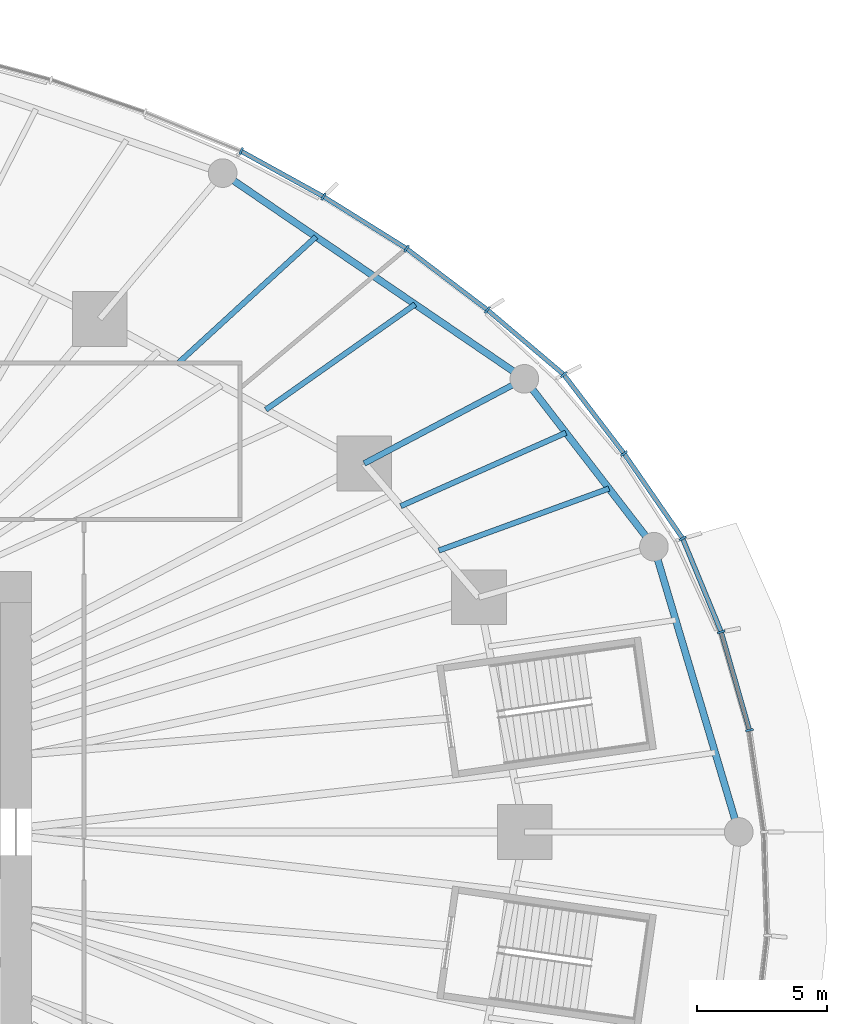
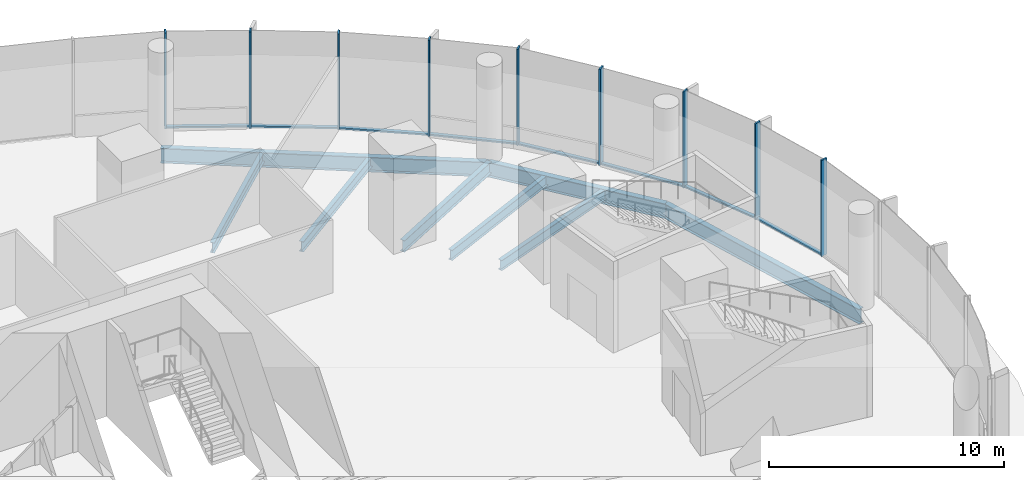
# One storey, part 9 of 28: 17 members, 8 beams, 4 elements without a shape of their own.
"""IFC4 building model written with IfcOpenShell, lengths in metres."""

from ifc_helpers import new_model, si_unit, direction, frame, origin, origin_2d, place, context, subcontext, project, spatial, rectangle, i_section, extrude, material, material_profile, profile_set, type_object, element, aggregate, save


model = new_model("IFC4")

# Units and contexts
model_context = context("Model", 3, precision=1e-05, world=origin(), true_north=direction((0.0, 1.0)))
body_context = subcontext(model_context, "Body", "Model", "MODEL_VIEW")
ifc_project = project(units=[si_unit("LENGTHUNIT", "METRE"), si_unit("AREAUNIT", "SQUARE_METRE"), si_unit("VOLUMEUNIT", "CUBIC_METRE"), si_unit("PLANEANGLEUNIT", "RADIAN"), si_unit("MASSUNIT", "GRAM", prefix="KILO")], contexts=[model_context])

# Site, building, storey
site_placement = place(None, origin())
site = spatial("IfcSite", under=ifc_project, at=site_placement, CompositionType="ELEMENT")
building_placement = place(site_placement, origin())
building = spatial("IfcBuilding", under=site, at=building_placement, Name="Ghaith Harvest Tower", CompositionType="ELEMENT")
storey_placement = place(building_placement, frame((0.0, 0.0, 5.0)))
storey = spatial("IfcBuildingStorey", under=building, at=storey_placement, Name="L01", CompositionType="ELEMENT", Elevation=5.0)

# Curtain wall, members
ifc_material_1 = material(Name="Black anodised aluminium and fritted glass", Category="aluminium")
curtain_wall_type = type_object("IfcCurtainWallType", Name="CW-P CURTAIN WALL", PredefinedType="NOTDEFINED", material=ifc_material_1)
curtain_wall_1_placement = place(storey_placement, origin())
curtain_wall_1 = element("IfcCurtainWall", 1, at=curtain_wall_1_placement, inside=storey, type_object=curtain_wall_type, Name="Curtain wall CW-P bay 01 L01", PredefinedType="NOTDEFINED")
ifc_material_2 = material(Name="Aluminium, black anodised", Category="aluminium")
ifc_material_profile_1 = material_profile(ifc_material_2, rectangle(XDim=0.080078125, YDim=0.300048828125, at=origin_2d()), Name="CW-P MULLION 80x300")
ifc_profile_set_1 = profile_set([ifc_material_profile_1], Name="Aluminium, black anodised")
member_type_1 = type_object("IfcMemberType", Name="CW-P MULLION 80x300", PredefinedType="MULLION", material=ifc_profile_set_1)
member_1_placement = place(storey_placement, frame((41.552490234375, 3.908447265625, 0.0), z_axis=(0.0, 0.0, 1.0), x_axis=(-0.210455398802, 0.977603460057, 0.0)))
member_1 = element("IfcMember", 2, at=member_1_placement, type_object=member_type_1, Name="CW-P mullion 2 bay 01 L01", PredefinedType="MULLION", context=body_context, shape_type="SweptSolid", body=[
    extrude(rectangle(XDim=0.080078125, YDim=0.300048828125, at=origin_2d()), origin(), (0.0, 0.0, 1.0), 5.0),
])
member_2_placement = place(storey_placement, frame((40.466552734375, 7.6806640625, 0.0), z_axis=(0.0, 0.0, 1.0), x_axis=(-0.329259082457, 0.944239618222, 0.0)))
member_2 = element("IfcMember", 3, at=member_2_placement, type_object=member_type_1, Name="CW-P mullion 3 bay 01 L01", PredefinedType="MULLION", context=body_context, shape_type="SweptSolid", body=[
    extrude(rectangle(XDim=0.080078125, YDim=0.300048828125, at=origin_2d()), origin(), (0.0, 0.0, 1.0), 5.0),
])

curtain_wall_2_placement = place(storey_placement, origin())
curtain_wall_2 = element("IfcCurtainWall", 4, at=curtain_wall_2_placement, inside=storey, type_object=curtain_wall_type, Name="Curtain wall CW-P bay 02 L01", PredefinedType="NOTDEFINED")
member_3_placement = place(storey_placement, frame((38.986328125, 11.267822265625, 0.0), z_axis=(0.0, 0.0, 1.0), x_axis=(-0.478503269772, 0.878085770764, 0.0)))
member_3 = element("IfcMember", 5, at=member_3_placement, type_object=member_type_1, Name="CW-P mullion 1 bay 02 L01", PredefinedType="MULLION", context=body_context, shape_type="SweptSolid", body=[
    extrude(rectangle(XDim=0.080078125, YDim=0.300048828125, at=origin_2d()), origin(), (0.0, 0.0, 1.0), 5.0),
])
member_4_placement = place(storey_placement, frame((36.7373046875, 14.52392578125, 0.0), z_axis=(0.0, 0.0, 1.0), x_axis=(-0.587258025755, 0.809399784523, 0.0)))
member_4 = element("IfcMember", 6, at=member_4_placement, type_object=member_type_1, Name="CW-P mullion 2 bay 02 L01", PredefinedType="MULLION", context=body_context, shape_type="SweptSolid", body=[
    extrude(rectangle(XDim=0.080078125, YDim=0.300048828125, at=origin_2d()), origin(), (0.0, 0.0, 1.0), 5.0),
])
member_5_placement = place(storey_placement, frame((34.423583984375, 17.556396484375, 0.0), z_axis=(0.0, 0.0, 1.0), x_axis=(-0.689143047622, 0.724625323815, 0.0)))
member_5 = element("IfcMember", 7, at=member_5_placement, type_object=member_type_1, Name="CW-P mullion 3 bay 02 L01", PredefinedType="MULLION", context=body_context, shape_type="SweptSolid", body=[
    extrude(rectangle(XDim=0.080078125, YDim=0.300048828125, at=origin_2d()), origin(), (0.0, 0.0, 1.0), 5.0),
])

curtain_wall_3_placement = place(storey_placement, origin())
curtain_wall_3 = element("IfcCurtainWall", 8, at=curtain_wall_3_placement, inside=storey, type_object=curtain_wall_type, Name="Curtain wall CW-P bay 03 L01", PredefinedType="NOTDEFINED")
member_6_placement = place(storey_placement, frame((31.490478515625, 20.040771484375, 0.0), z_axis=(0.0, 0.0, 1.0), x_axis=(-0.780317393323, 0.625383694765, 0.0)))
member_6 = element("IfcMember", 9, at=member_6_placement, type_object=member_type_1, Name="CW-P mullion 1 bay 03 L01", PredefinedType="MULLION", context=body_context, shape_type="SweptSolid", body=[
    extrude(rectangle(XDim=0.080078125, YDim=0.300048828125, at=origin_2d()), origin(), (0.0, 0.0, 1.0), 5.0),
])
member_7_placement = place(storey_placement, frame((28.3876953125, 22.39404296875, 0.0), z_axis=(0.0, 0.0, 1.0), x_axis=(-0.822844524846, 0.56826656415, 0.0)))
member_7 = element("IfcMember", 10, at=member_7_placement, type_object=member_type_1, Name="CW-P mullion 2 bay 03 L01", PredefinedType="MULLION", context=body_context, shape_type="SweptSolid", body=[
    extrude(rectangle(XDim=0.080078125, YDim=0.300048828125, at=origin_2d()), origin(), (0.0, 0.0, 1.0), 5.0),
])
member_8_placement = place(storey_placement, frame((25.197021484375, 24.38720703125, 0.0), z_axis=(0.0, 0.0, 1.0), x_axis=(-0.861800763039, 0.507246926877, 0.0)))
member_8 = element("IfcMember", 11, at=member_8_placement, type_object=member_type_1, Name="CW-P mullion 3 bay 03 L01", PredefinedType="MULLION", context=body_context, shape_type="SweptSolid", body=[
    extrude(rectangle(XDim=0.080078125, YDim=0.300048828125, at=origin_2d()), origin(), (0.0, 0.0, 1.0), 5.0),
])

# Curtain wall, member
curtain_wall_4_placement = place(storey_placement, origin())
curtain_wall_4 = element("IfcCurtainWall", 12, at=curtain_wall_4_placement, inside=storey, type_object=curtain_wall_type, Name="Curtain wall CW-P bay 04 L01", PredefinedType="NOTDEFINED")
member_9_placement = place(storey_placement, frame((22.03662109375, 26.13232421875, 0.0), z_axis=(0.0, 0.0, 1.0), x_axis=(-0.904206982894, 0.427094523597, 0.0)))
member_9 = element("IfcMember", 13, at=member_9_placement, type_object=member_type_1, Name="CW-P mullion 1 bay 04 L01", PredefinedType="MULLION", context=body_context, shape_type="SweptSolid", body=[
    extrude(rectangle(XDim=0.080078125, YDim=0.300048828125, at=origin_2d()), origin(), (0.0, 0.0, 1.0), 5.0),
])
aggregate(curtain_wall_4, [member_9])

# Member
ifc_material_3 = material(Name="Aluminium, black anodised", Category="aluminium")
ifc_material_profile_2 = material_profile(ifc_material_3, rectangle(XDim=0.179931640625, YDim=0.080078125, at=origin_2d()), Name="CW-P TRANSOM 180x80")
ifc_profile_set_2 = profile_set([ifc_material_profile_2], Name="Aluminium, black anodised")
member_type_2 = type_object("IfcMemberType", Name="CW-P TRANSOM 180x80", PredefinedType="USERDEFINED", material=ifc_profile_set_2)
member_10_placement = place(storey_placement, frame((41.54150390625, 3.947021484375, 0.0400390625), z_axis=(-0.276699590051, 0.960956469808, 0.0), x_axis=(-0.960956469808, -0.276699590051, 0.0)))
member_10 = element("IfcMember", 14, at=member_10_placement, type_object=member_type_2, Name="CW-P transom 2 bay 01 L01", ObjectType="TRANSOM", PredefinedType="USERDEFINED", context=body_context, shape_type="SweptSolid", body=[
    extrude(rectangle(XDim=0.179931640625, YDim=0.080078125, at=origin_2d()), origin(), (0.0, 0.0, 1.0), 3.84521484375),
])

member_11_placement = place(storey_placement, frame((40.451171875, 7.717529296875, 0.0400390625), z_axis=(-0.381370035558, 0.92442246618, 0.0), x_axis=(-0.92442246618, -0.381370035558, 0.0)))
member_11 = element("IfcMember", 15, at=member_11_placement, type_object=member_type_2, Name="CW-P transom 3 bay 01 L01", ObjectType="TRANSOM", PredefinedType="USERDEFINED", context=body_context, shape_type="SweptSolid", body=[
    extrude(rectangle(XDim=0.179931640625, YDim=0.080078125, at=origin_2d()), origin(), (0.0, 0.0, 1.0), 3.80078125),
])

aggregate(curtain_wall_1, [member_1, member_10, member_2, member_11])

member_12_placement = place(storey_placement, frame((38.963623046875, 11.30078125, 0.0400390625), z_axis=(-0.568312529767, 0.822812778528, 0.0), x_axis=(-0.822812778528, -0.568312529767, 0.0)))
member_12 = element("IfcMember", 16, at=member_12_placement, type_object=member_type_2, Name="CW-P transom 1 bay 02 L01", ObjectType="TRANSOM", PredefinedType="USERDEFINED", context=body_context, shape_type="SweptSolid", body=[
    extrude(rectangle(XDim=0.179931640625, YDim=0.080078125, at=origin_2d()), origin(), (0.0, 0.0, 1.0), 3.87744140625),
])

member_13_placement = place(storey_placement, frame((36.713134765625, 14.555908203125, 0.0400390625), z_axis=(-0.606590683295, 0.795014303607, 0.0), x_axis=(-0.795014303607, -0.606590683295, 0.0)))
member_13 = element("IfcMember", 17, at=member_13_placement, type_object=member_type_2, Name="CW-P transom 2 bay 02 L01", ObjectType="TRANSOM", PredefinedType="USERDEFINED", context=body_context, shape_type="SweptSolid", body=[
    extrude(rectangle(XDim=0.179931640625, YDim=0.080078125, at=origin_2d()), origin(), (0.0, 0.0, 1.0), 3.734130859375),
])

member_14_placement = place(storey_placement, frame((34.39306640625, 17.582275390625, 0.0400390625), z_axis=(-0.763039274182, 0.646352122342, 0.0), x_axis=(-0.646352122342, -0.763039274182, 0.0)))
member_14 = element("IfcMember", 18, at=member_14_placement, type_object=member_type_2, Name="CW-P transom 3 bay 02 L01", ObjectType="TRANSOM", PredefinedType="USERDEFINED", context=body_context, shape_type="SweptSolid", body=[
    extrude(rectangle(XDim=0.179931640625, YDim=0.080078125, at=origin_2d()), origin(), (0.0, 0.0, 1.0), 3.763916015625),
])

aggregate(curtain_wall_2, [member_3, member_12, member_4, member_13, member_5, member_14])

member_15_placement = place(storey_placement, frame((31.458740234375, 20.06494140625, 0.0400390625), z_axis=(-0.796785842158, 0.604261799005, 0.0), x_axis=(-0.604261799005, -0.796785842158, 0.0)))
member_15 = element("IfcMember", 19, at=member_15_placement, type_object=member_type_2, Name="CW-P transom 1 bay 03 L01", ObjectType="TRANSOM", PredefinedType="USERDEFINED", context=body_context, shape_type="SweptSolid", body=[
    extrude(rectangle(XDim=0.179931640625, YDim=0.080078125, at=origin_2d()), origin(), (0.0, 0.0, 1.0), 3.814453125),
])

member_16_placement = place(storey_placement, frame((28.353759765625, 22.415283203125, 0.0400390625), z_axis=(-0.848128656637, 0.529790318703, 0.0), x_axis=(-0.529790318703, -0.848128656637, 0.0)))
member_16 = element("IfcMember", 20, at=member_16_placement, type_object=member_type_2, Name="CW-P transom 2 bay 03 L01", ObjectType="TRANSOM", PredefinedType="USERDEFINED", context=body_context, shape_type="SweptSolid", body=[
    extrude(rectangle(XDim=0.179931640625, YDim=0.080078125, at=origin_2d()), origin(), (0.0, 0.0, 1.0), 3.681884765625),
])

member_17_placement = place(storey_placement, frame((25.162109375, 24.406494140625, 0.0400390625), z_axis=(-0.875439463287, 0.48332778331, 0.0), x_axis=(-0.48332778331, -0.875439463287, 0.0)))
member_17 = element("IfcMember", 21, at=member_17_placement, type_object=member_type_2, Name="CW-P transom 3 bay 03 L01", ObjectType="TRANSOM", PredefinedType="USERDEFINED", context=body_context, shape_type="SweptSolid", body=[
    extrude(rectangle(XDim=0.179931640625, YDim=0.080078125, at=origin_2d()), origin(), (0.0, 0.0, 1.0), 3.5302734375),
])

aggregate(curtain_wall_3, [member_6, member_15, member_7, member_16, member_8, member_17])

# Beams
ifc_material_4 = material(Name="Steel ASTM A992 Grade 50", Category="steel")
ifc_material_profile_3 = material_profile(ifc_material_4, i_section(OverallWidth=0.26806640625, OverallDepth=0.77001953125, WebThickness=0.015625, FlangeThickness=0.025390625, at=origin_2d()), Name="W760X196")
ifc_profile_set_3 = profile_set([ifc_material_profile_3], Name="Steel ASTM A992 Grade 50")
beam_type_1 = type_object("IfcBeamType", Name="E760-196 W760X196", PredefinedType="SPANDREL", material=ifc_profile_set_3)
beam_1_placement = place(storey_placement, frame((41.14111328125, 0.0, -0.635009765625), z_axis=(-0.285129481523, 0.958489008161, 0.0), x_axis=(-0.958489008161, -0.285129481523, 0.0)))
element("IfcBeam", 22, at=beam_1_placement, inside=storey, type_object=beam_type_1, Name="Podium edge beam PE01 L01", PredefinedType="SPANDREL", context=body_context, shape_type="SweptSolid", body=[
    extrude(i_section(OverallWidth=0.26806640625, OverallDepth=0.77001953125, WebThickness=0.015625, FlangeThickness=0.025390625, at=origin_2d()), origin(), (0.0, 0.0, 1.0), 11.423095703125),
])
beam_2_placement = place(storey_placement, frame((37.884033203125, 10.948974609375, -0.635009765625), z_axis=(-0.610915700326, 0.791695653073, 0.0), x_axis=(-0.791695653073, -0.610915700326, 0.0)))
element("IfcBeam", 23, at=beam_2_placement, inside=storey, type_object=beam_type_1, Name="Podium edge beam PE02 L01", PredefinedType="SPANDREL", context=body_context, shape_type="SweptSolid", body=[
    extrude(i_section(OverallWidth=0.26806640625, OverallDepth=0.77001953125, WebThickness=0.015625, FlangeThickness=0.025390625, at=origin_2d()), origin(), (0.0, 0.0, 1.0), 8.14208984375),
])
beam_3_placement = place(storey_placement, frame((32.909912109375, 17.39501953125, -0.635009765625), z_axis=(-0.826222921188, 0.563343309628, 0.0), x_axis=(-0.563343309628, -0.826222921188, 0.0)))
element("IfcBeam", 24, at=beam_3_placement, inside=storey, type_object=beam_type_1, Name="Podium edge beam PE03 L01", PredefinedType="SPANDREL", context=body_context, shape_type="SweptSolid", body=[
    extrude(i_section(OverallWidth=0.26806640625, OverallDepth=0.77001953125, WebThickness=0.015625, FlangeThickness=0.025390625, at=origin_2d()), origin(), (0.0, 0.0, 1.0), 14.01806640625),
])
ifc_material_5 = material(Name="Steel ASTM A992 Grade 50", Category="steel")
ifc_material_profile_4 = material_profile(ifc_material_5, i_section(OverallWidth=0.22802734375, OverallDepth=0.60302734375, WebThickness=0.010498046875, FlangeThickness=0.014892578125, at=origin_2d()), Name="W610X101")
ifc_profile_set_4 = profile_set([ifc_material_profile_4], Name="Steel ASTM A992 Grade 50")
beam_type_2 = type_object("IfcBeamType", Name="G610-101 W610X101", PredefinedType="BEAM", material=ifc_profile_set_4)
beam_4_placement = place(storey_placement, frame((26.763916015625, 14.14697265625, -0.551513671875), z_axis=(0.884127689029, 0.467245363265, 0.0), x_axis=(-0.467245363265, 0.884127689029, 0.0)))
element("IfcBeam", 25, at=beam_4_placement, inside=storey, type_object=beam_type_2, Name="Podium radial beam PR03 L01", PredefinedType="BEAM", context=body_context, shape_type="SweptSolid", body=[
    extrude(i_section(OverallWidth=0.22802734375, OverallDepth=0.60302734375, WebThickness=0.010498046875, FlangeThickness=0.014892578125, at=origin_2d()), origin(), (0.0, 0.0, 1.0), 6.951416015625),
])
ifc_material_6 = material(Name="Steel ASTM A992 Grade 50", Category="steel")
ifc_material_profile_5 = material_profile(ifc_material_6, i_section(OverallWidth=0.208984375, OverallDepth=0.532958984375, WebThickness=0.01025390625, FlangeThickness=0.015625, at=origin_2d()), Name="W530X92")
ifc_profile_set_5 = profile_set([ifc_material_profile_5], Name="Steel ASTM A992 Grade 50")
beam_type_3 = type_object("IfcBeamType", Name="J530-92 W530X92", PredefinedType="JOIST", material=ifc_profile_set_5)
beam_5_placement = place(storey_placement, frame((29.628173828125, 10.803466796875, -0.5166015625), z_axis=(0.939491579634, 0.342571995056, 0.0), x_axis=(-0.342571995056, 0.939491579634, 0.0)))
element("IfcBeam", 26, at=beam_5_placement, inside=storey, type_object=beam_type_3, Name="Podium joist PJ02.1 L01", PredefinedType="JOIST", context=body_context, shape_type="SweptSolid", body=[
    extrude(i_section(OverallWidth=0.208984375, OverallDepth=0.532958984375, WebThickness=0.01025390625, FlangeThickness=0.015625, at=origin_2d()), origin(), (0.0, 0.0, 1.0), 6.951416015625),
])
beam_6_placement = place(storey_placement, frame((28.1669921875, 12.50927734375, -0.5166015625), z_axis=(0.913913106529, 0.405909883735, 0.0), x_axis=(-0.405909883735, 0.913913106529, 0.0)))
element("IfcBeam", 27, at=beam_6_placement, inside=storey, type_object=beam_type_3, Name="Podium joist PJ02.2 L01", PredefinedType="JOIST", context=body_context, shape_type="SweptSolid", body=[
    extrude(i_section(OverallWidth=0.208984375, OverallDepth=0.532958984375, WebThickness=0.01025390625, FlangeThickness=0.015625, at=origin_2d()), origin(), (0.0, 0.0, 1.0), 6.937255859375),
])
beam_7_placement = place(storey_placement, frame((22.986083984375, 16.210693359375, -0.5166015625), z_axis=(0.817208951885, 0.576341503762, 0.0), x_axis=(-0.576341503762, 0.817208951885, 0.0)))
element("IfcBeam", 28, at=beam_7_placement, inside=storey, type_object=beam_type_3, Name="Podium joist PJ03.1 L01", PredefinedType="JOIST", context=body_context, shape_type="SweptSolid", body=[
    extrude(i_section(OverallWidth=0.208984375, OverallDepth=0.532958984375, WebThickness=0.01025390625, FlangeThickness=0.015625, at=origin_2d()), origin(), (0.0, 0.0, 1.0), 7.013916015625),
])
beam_8_placement = place(storey_placement, frame((19.6572265625, 18.029296875, -0.5166015625), z_axis=(0.736957960195, 0.67593858072, 0.0), x_axis=(-0.67593858072, 0.736957960195, 0.0)))
element("IfcBeam", 29, at=beam_8_placement, inside=storey, type_object=beam_type_3, Name="Podium joist PJ03.2 L01", PredefinedType="JOIST", context=body_context, shape_type="SweptSolid", body=[
    extrude(i_section(OverallWidth=0.208984375, OverallDepth=0.532958984375, WebThickness=0.01025390625, FlangeThickness=0.015625, at=origin_2d()), origin(), (0.0, 0.0, 1.0), 7.1298828125),
])

save(model, "model.ifc")
